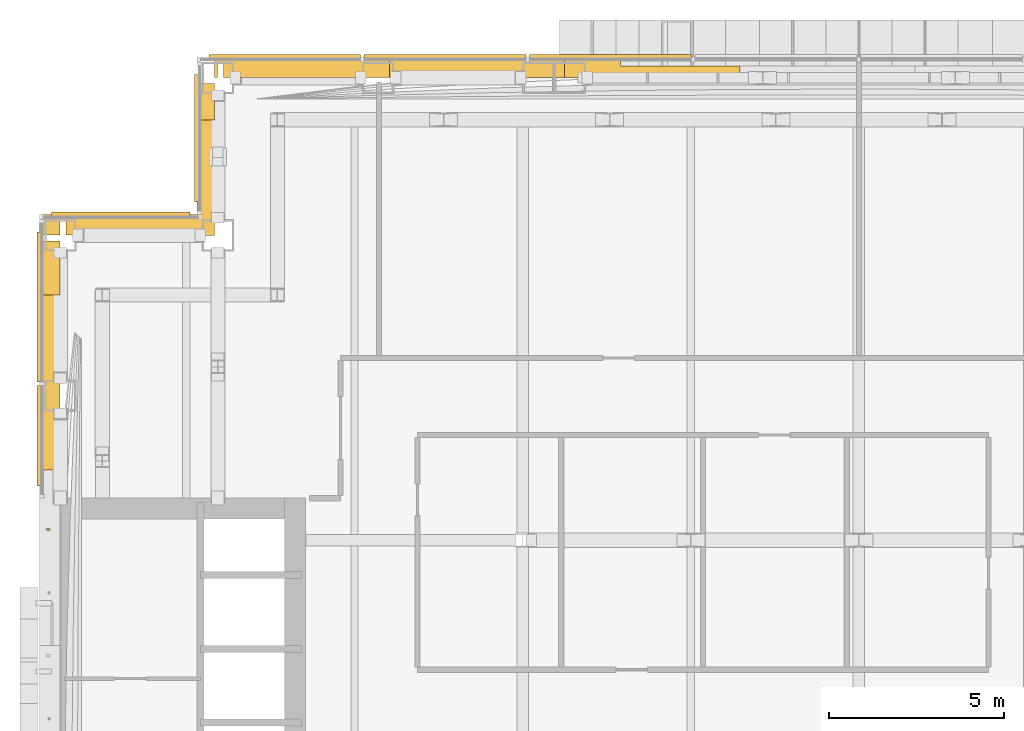
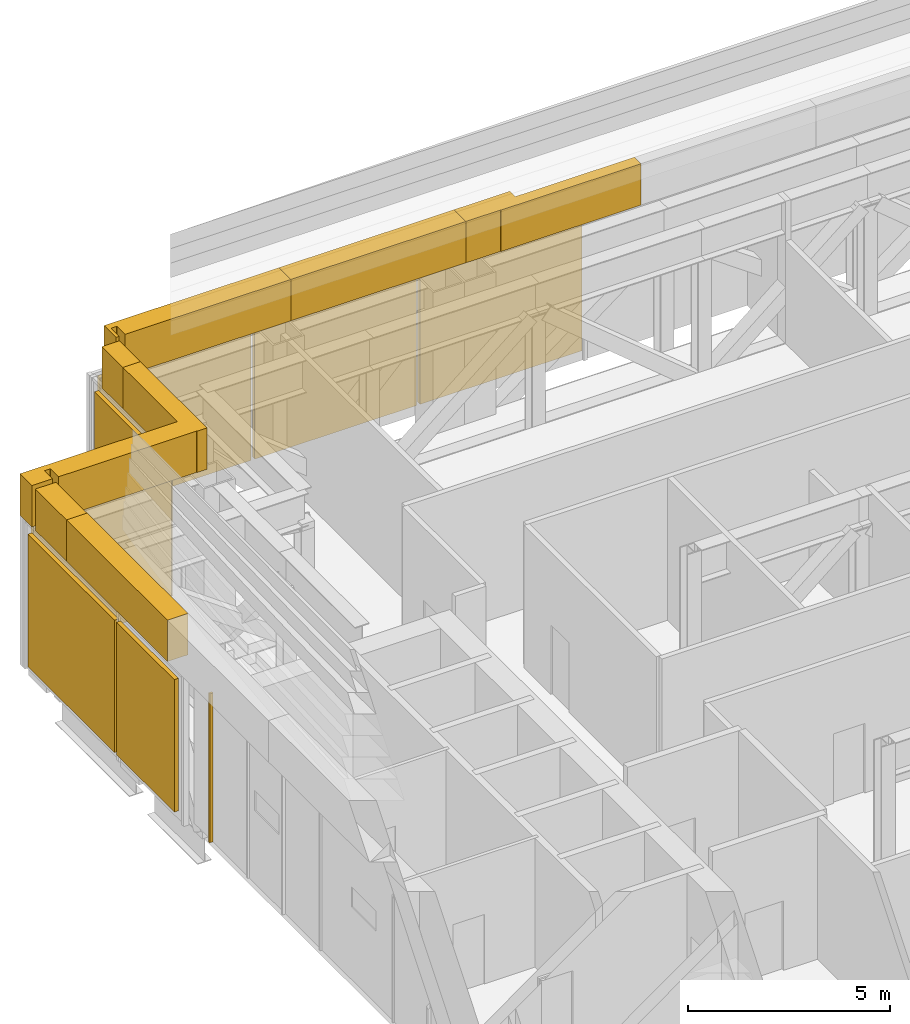
# One storey, part 35 of 38: 15 coverings.
"""IFC4 building model written with IfcOpenShell, lengths in metres."""

from ifc_helpers import new_model, si_unit, direction, frame, origin, origin_2d, place, context, subcontext, project, spatial, polyline, rectangle, outline, extrude, material, type_object, element, save


model = new_model("IFC4")

# Units and contexts
model_context = context("Model", 3, precision=1e-05, world=origin(), true_north=direction((0.0, 1.0)))
body_context = subcontext(model_context, "Body", "Model", "MODEL_VIEW")
ifc_project = project(units=[si_unit("LENGTHUNIT", "METRE"), si_unit("AREAUNIT", "SQUARE_METRE"), si_unit("VOLUMEUNIT", "CUBIC_METRE"), si_unit("PLANEANGLEUNIT", "RADIAN"), si_unit("MASSUNIT", "GRAM", prefix="KILO")], contexts=[model_context])

# Site, building, storey
site_placement = place(None, origin())
site = spatial("IfcSite", under=ifc_project, at=site_placement, CompositionType="ELEMENT")
building_placement = place(site_placement, origin())
building = spatial("IfcBuilding", under=site, at=building_placement, Name="Cobrizo Arcos Hotel Tower", CompositionType="ELEMENT")
storey_placement = place(building_placement, frame((0.0, 0.0, 138.0)))
storey = spatial("IfcBuildingStorey", under=building, at=storey_placement, Name="L35", CompositionType="ELEMENT", Elevation=138.0)

# Coverings
ifc_material_1 = material(Name="Aluminium 6063-T6 anodised pale", Category="aluminium")
covering_type_1 = type_object("IfcCoveringType", Name="LF-1 setback skirt", PredefinedType="CLADDING", material=ifc_material_1)
covering_1_placement = place(storey_placement, frame((0.0, 0.0, 4.5)))
element("IfcCovering", 1, at=covering_1_placement, inside=storey, type_object=covering_type_1, Name="Setback skirt L35", PredefinedType="CLADDING", context=body_context, shape_type="SweptSolid", body=[
    extrude(outline(polyline([(-22.81005859375, 11.60009765625), (-22.81005859375, 16.60009765625), (-23.39990234375, 16.60009765625), (-23.39990234375, 11.60009765625), (-22.81005859375, 11.60009765625)])), origin(), (0.0, 0.0, 1.0), 1.25),
])
covering_2_placement = place(storey_placement, frame((0.0, 0.0, 4.5)))
element("IfcCovering", 2, at=covering_2_placement, inside=storey, type_object=covering_type_1, Name="Setback skirt L35", PredefinedType="CLADDING", context=body_context, shape_type="SweptSolid", body=[
    extrude(outline(polyline([(-18.89990234375, 21.60009765625), (-18.89990234375, 18.89990234375), (-23.39990234375, 18.89990234375), (-23.39990234375, 18.31005859375), (-22.81005859375, 18.31005859375), (-22.81005859375, 18.699951171875), (-22.81005859375, 18.700927734375), (-22.809814453125, 18.701904296875), (-22.8095703125, 18.702880859375), (-22.80908203125, 18.703857421875), (-22.808837890625, 18.70458984375), (-22.808349609375, 18.70556640625), (-22.8076171875, 18.706298828125), (-22.80712890625, 18.70703125), (-22.806396484375, 18.707763671875), (-22.8056640625, 18.708251953125), (-22.8046875, 18.708740234375), (-22.8037109375, 18.709228515625), (-22.802978515625, 18.709716796875), (-22.802001953125, 18.709716796875), (-22.801025390625, 18.7099609375), (-22.800048828125, 18.7099609375), (-22.64990234375, 18.7099609375), (-22.64892578125, 18.7099609375), (-22.64794921875, 18.709716796875), (-22.647216796875, 18.709716796875), (-22.646240234375, 18.709228515625), (-22.645263671875, 18.708740234375), (-22.644287109375, 18.708251953125), (-22.643798828125, 18.707763671875), (-22.642822265625, 18.70703125), (-22.642333984375, 18.706298828125), (-22.6416015625, 18.70556640625), (-22.64111328125, 18.70458984375), (-22.640869140625, 18.703857421875), (-22.640380859375, 18.702880859375), (-22.64013671875, 18.701904296875), (-22.639892578125, 18.700927734375), (-22.639892578125, 18.699951171875), (-22.639892578125, 18.31005859375), (-18.699951171875, 18.31005859375), (-18.698974609375, 18.31005859375), (-18.697998046875, 18.309814453125), (-18.697021484375, 18.3095703125), (-18.6962890625, 18.30908203125), (-18.6953125, 18.308837890625), (-18.6943359375, 18.308349609375), (-18.68310546875, 18.300048828125), (-18.39990234375, 18.300048828125), (-18.39990234375, 21.60009765625), (-18.89990234375, 21.60009765625)])), origin(), (0.0, 0.0, 1.0), 1.25),
])
covering_3_placement = place(storey_placement, frame((0.0, 0.0, 4.5)))
element("IfcCovering", 3, at=covering_3_placement, inside=storey, type_object=covering_type_1, Name="Setback skirt L35", PredefinedType="CLADDING", context=body_context, shape_type="SweptSolid", body=[
    extrude(outline(polyline([(-22.81005859375, 16.60009765625), (-22.81005859375, 18.139892578125), (-23.39990234375, 18.139892578125), (-23.39990234375, 16.60009765625), (-22.81005859375, 16.60009765625)])), origin(), (0.0, 0.0, 1.0), 1.25),
])
covering_4_placement = place(storey_placement, frame((0.0, 0.0, 4.5)))
element("IfcCovering", 4, at=covering_4_placement, inside=storey, type_object=covering_type_1, Name="Setback skirt L35", PredefinedType="CLADDING", context=body_context, shape_type="SweptSolid", body=[
    extrude(outline(polyline([(-18.89990234375, 22.639892578125), (-18.89990234375, 21.60009765625), (-18.39990234375, 21.60009765625), (-18.39990234375, 22.639892578125), (-18.89990234375, 22.639892578125)])), origin(), (0.0, 0.0, 1.0), 1.25),
])
covering_5_placement = place(storey_placement, frame((0.0, 0.0, 4.5)))
element("IfcCovering", 5, at=covering_5_placement, inside=storey, type_object=covering_type_1, Name="Setback skirt L35", PredefinedType="CLADDING", context=body_context, shape_type="SweptSolid", body=[
    extrude(outline(polyline([(-18.139892578125, 22.81005859375), (-13.39990234375, 22.81005859375), (-13.39990234375, 23.39990234375), (-18.39990234375, 23.39990234375), (-18.39990234375, 22.81005859375), (-18.31005859375, 22.81005859375), (-18.31005859375, 23.199951171875), (-18.31005859375, 23.200927734375), (-18.309814453125, 23.201904296875), (-18.3095703125, 23.202880859375), (-18.30908203125, 23.203857421875), (-18.308837890625, 23.20458984375), (-18.308349609375, 23.20556640625), (-18.3076171875, 23.206298828125), (-18.30712890625, 23.20703125), (-18.306396484375, 23.207763671875), (-18.3056640625, 23.208251953125), (-18.3046875, 23.208740234375), (-18.3037109375, 23.209228515625), (-18.302978515625, 23.209716796875), (-18.302001953125, 23.209716796875), (-18.301025390625, 23.2099609375), (-18.300048828125, 23.2099609375), (-18.14990234375, 23.2099609375), (-18.14892578125, 23.2099609375), (-18.14794921875, 23.209716796875), (-18.147216796875, 23.209716796875), (-18.146240234375, 23.209228515625), (-18.145263671875, 23.208740234375), (-18.144287109375, 23.208251953125), (-18.143798828125, 23.207763671875), (-18.142822265625, 23.20703125), (-18.142333984375, 23.206298828125), (-18.1416015625, 23.20556640625), (-18.14111328125, 23.20458984375), (-18.140869140625, 23.203857421875), (-18.140380859375, 23.202880859375), (-18.14013671875, 23.201904296875), (-18.139892578125, 23.200927734375), (-18.139892578125, 23.199951171875), (-18.139892578125, 22.81005859375)])), origin(), (0.0, 0.0, 1.0), 1.25),
])
covering_6_placement = place(storey_placement, frame((0.0, 0.0, 4.5)))
element("IfcCovering", 6, at=covering_6_placement, inside=storey, type_object=covering_type_1, Name="Setback skirt L35", PredefinedType="CLADDING", context=body_context, shape_type="SweptSolid", body=[
    extrude(outline(polyline([(-13.39990234375, 22.81005859375), (-8.39990234375, 22.81005859375), (-8.39990234375, 23.39990234375), (-13.39990234375, 23.39990234375), (-13.39990234375, 22.81005859375)])), origin(), (0.0, 0.0, 1.0), 1.25),
])
covering_7_placement = place(storey_placement, frame((0.0, 0.0, 4.5)))
element("IfcCovering", 7, at=covering_7_placement, inside=storey, type_object=covering_type_1, Name="Setback skirt L35", PredefinedType="CLADDING", context=body_context, shape_type="SweptSolid", body=[
    extrude(outline(polyline([(-7.408447265625, 22.808349609375), (-7.397216796875, 22.800048828125), (-3.39990234375, 22.800048828125), (-3.39990234375, 23.130615234375), (-6.800048828125, 23.130615234375), (-6.800048828125, 23.39990234375), (-8.39990234375, 23.39990234375), (-8.39990234375, 22.81005859375), (-7.4140625, 22.81005859375), (-7.4130859375, 22.81005859375), (-7.412109375, 22.809814453125), (-7.4111328125, 22.8095703125), (-7.41015625, 22.80908203125), (-7.4091796875, 22.808837890625), (-7.408447265625, 22.808349609375)])), origin(), (0.0, 0.0, 1.0), 1.25),
])
ifc_material_2 = material(Name="Aluminium 6063-T6 anodised bronze", Category="aluminium")
covering_type_2 = type_object("IfcCoveringType", Name="LV-1 plant louvre band", PredefinedType="CLADDING", material=ifc_material_2)
for number, where, z_axis, x_axis, name in (
    (8, (-7.08740234375, 23.405029296875, 0.25), (0.0, 0.0, 1.0), (-1.0, 0.0, 0.0), "louvre band 1296"),
    (9, (-11.8125, 23.405029296875, 0.25), (0.0, 0.0, 1.0), (-1.0, 0.0, 0.0), "louvre band 1297"),
):
    element("IfcCovering", number, at=place(storey_placement, frame(where, z_axis=z_axis, x_axis=x_axis)), inside=storey, type_object=covering_type_2, Name=name, PredefinedType="CLADDING", context=body_context, shape_type="SweptSolid", body=[
        extrude(rectangle(XDim=4.625, YDim=0.1201171875, at=origin_2d()), origin(), (0.0, 0.0, 1.0), 4.0),
    ])
covering_8_placement = place(storey_placement, frame((-16.387451171875, 23.405029296875, 0.25), z_axis=(0.0, 0.0, 1.0), x_axis=(-1.0, 0.0, 0.0)))
element("IfcCovering", 10, at=covering_8_placement, inside=storey, type_object=covering_type_2, Name="louvre band 1298", PredefinedType="CLADDING", context=body_context, shape_type="SweptSolid", body=[
    extrude(rectangle(XDim=4.324951171875, YDim=0.1201171875, at=origin_2d()), origin(), (0.0, 0.0, 1.0), 4.0),
])
covering_9_placement = place(storey_placement, frame((-18.905029296875, 21.074951171875, 0.25), z_axis=(0.0, 0.0, 1.0), x_axis=(0.0, -1.0, 0.0)))
element("IfcCovering", 11, at=covering_9_placement, inside=storey, type_object=covering_type_2, Name="louvre band 1299", PredefinedType="CLADDING", context=body_context, shape_type="SweptSolid", body=[
    extrude(rectangle(XDim=3.64990234375, YDim=0.1201171875, at=origin_2d()), origin(), (0.0, 0.0, 1.0), 4.0),
])
covering_10_placement = place(storey_placement, frame((-21.074951171875, 18.905029296875, 0.25), z_axis=(0.0, 0.0, 1.0), x_axis=(-1.0, 0.0, 0.0)))
element("IfcCovering", 12, at=covering_10_placement, inside=storey, type_object=covering_type_2, Name="louvre band 1300", PredefinedType="CLADDING", context=body_context, shape_type="SweptSolid", body=[
    extrude(rectangle(XDim=3.949951171875, YDim=0.1201171875, at=origin_2d()), origin(), (0.0, 0.0, 1.0), 4.0),
])
covering_11_placement = place(storey_placement, frame((-23.405029296875, 16.25634765625, 0.25), z_axis=(0.0, 0.0, 1.0), x_axis=(0.0, -1.0, 0.0)))
element("IfcCovering", 13, at=covering_11_placement, inside=storey, type_object=covering_type_2, Name="louvre band 1301", PredefinedType="CLADDING", context=body_context, shape_type="SweptSolid", body=[
    extrude(rectangle(XDim=4.28759765625, YDim=0.1201171875, at=origin_2d()), origin(), (0.0, 0.0, 1.0), 4.0),
])
covering_12_placement = place(storey_placement, frame((-23.405029296875, 12.581298828125, 0.25), z_axis=(0.0, 0.0, 1.0), x_axis=(0.0, -1.0, 0.0)))
element("IfcCovering", 14, at=covering_12_placement, inside=storey, type_object=covering_type_2, Name="louvre band 1302", PredefinedType="CLADDING", context=body_context, shape_type="SweptSolid", body=[
    extrude(rectangle(XDim=2.862548828125, YDim=0.1201171875, at=origin_2d()), origin(), (0.0, 0.0, 1.0), 4.0),
])
covering_type_3 = type_object("IfcCoveringType", Name="RS-1 rainscreen rib 60x90", PredefinedType="CLADDING", material=ifc_material_1)
covering_13_placement = place(storey_placement, frame((-23.14501953125, 9.89990234375, 0.0), z_axis=(0.0, 0.0, 1.0), x_axis=(0.0, -1.0, 0.0)))
element("IfcCovering", 15, at=covering_13_placement, inside=storey, type_object=covering_type_3, Name="Rainscreen rib 51", PredefinedType="CLADDING", context=body_context, shape_type="SweptSolid", body=[
    extrude(rectangle(XDim=0.06005859375, YDim=0.090087890625, at=origin_2d()), origin(), (0.0, 0.0, 1.0), 4.5),
])

save(model, "model.ifc")
